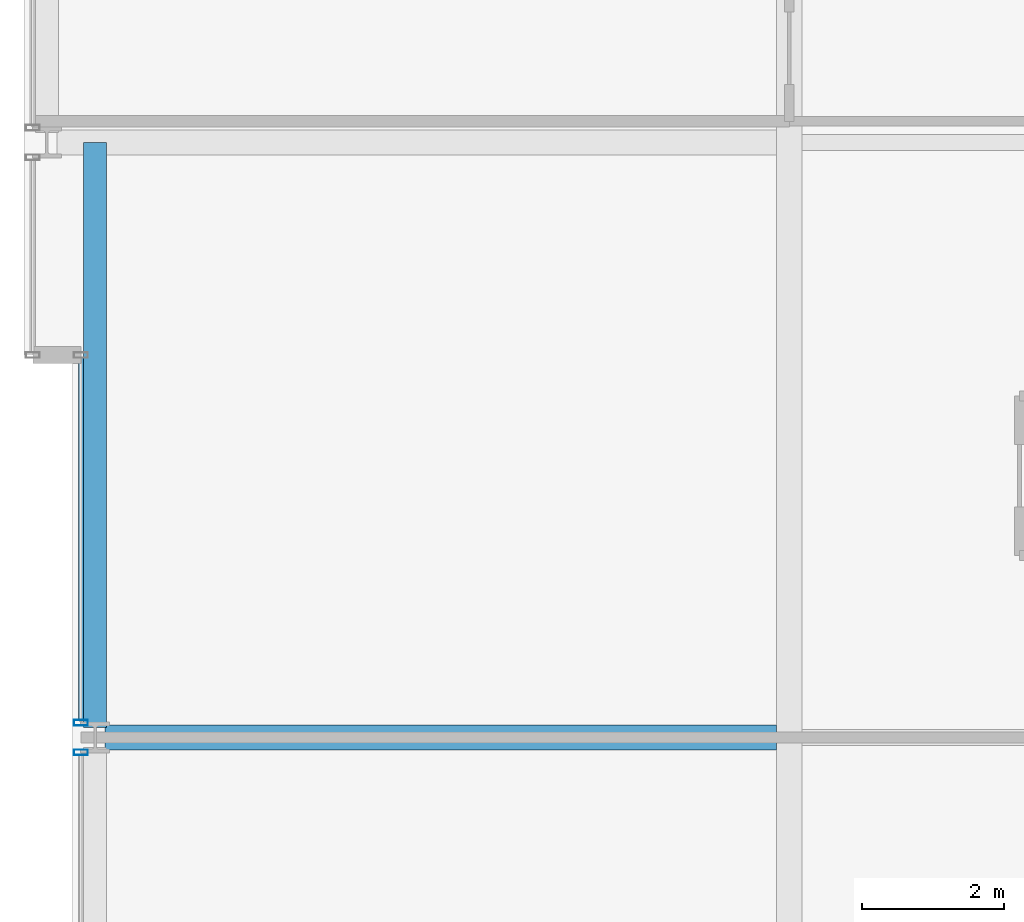
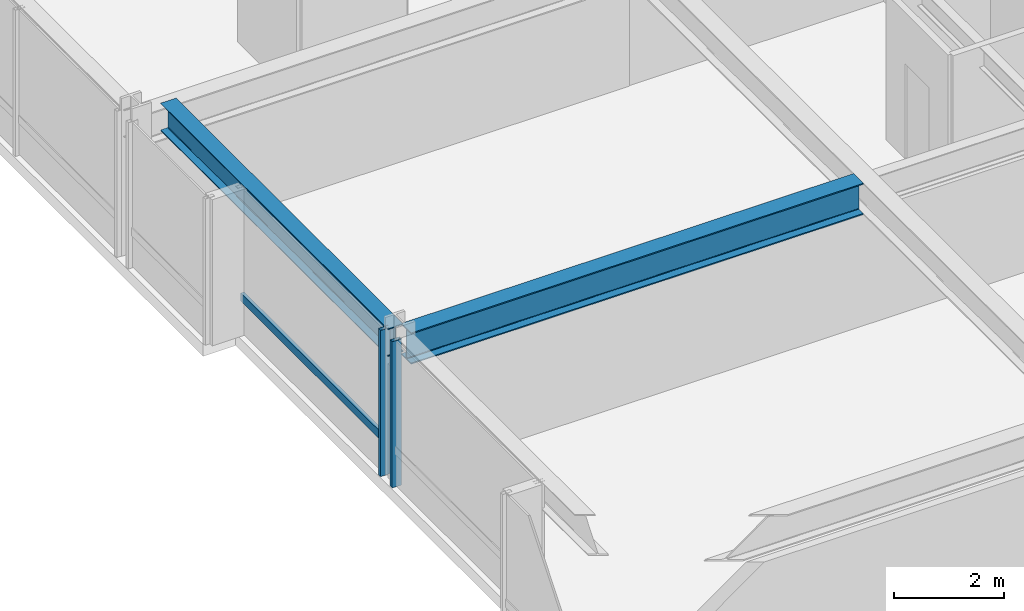
# One storey, part 9 of 33: 3 members, 2 beams, 2 elements without a shape of their own.
"""IFC4 building model written with IfcOpenShell, lengths in metres."""

from ifc_helpers import new_model, si_unit, direction, frame, origin, origin_2d, place, context, subcontext, project, spatial, hollow_rectangle, i_section, extrude, material, layer, layer_set, material_profile, profile_set, type_object, element, aggregate, save


model = new_model("IFC4")

# Units and contexts
model_context = context("Model", 3, precision=1e-05, world=origin(), true_north=direction((0.0, 1.0)))
body_context = subcontext(model_context, "Body", "Model", "MODEL_VIEW")
ifc_project = project(units=[si_unit("LENGTHUNIT", "METRE"), si_unit("AREAUNIT", "SQUARE_METRE"), si_unit("VOLUMEUNIT", "CUBIC_METRE"), si_unit("PLANEANGLEUNIT", "RADIAN"), si_unit("MASSUNIT", "GRAM", prefix="KILO")], contexts=[model_context])

# Site, building, storey
site_placement = place(None, origin())
site = spatial("IfcSite", under=ifc_project, at=site_placement, CompositionType="ELEMENT")
building_placement = place(site_placement, origin())
building = spatial("IfcBuilding", under=site, at=building_placement, Name="Drelvath Grand Hotel", CompositionType="ELEMENT")
storey_placement = place(building_placement, frame((0.0, 0.0, 119.800048828125)))
storey = spatial("IfcBuildingStorey", under=building, at=storey_placement, Name="L30", CompositionType="ELEMENT", Elevation=119.800048828125)

# Curtain wall, member
ifc_material_1 = material(Name="Champagne Bronze Anodised Aluminium Frame", Category="aluminium")
ifc_layer = layer(ifc_material_1, 0.199951171875)
ifc_layer_set = layer_set([ifc_layer], Name="Champagne Bronze Anodised Aluminium Frame")
curtain_wall_type = type_object("IfcCurtainWallType", Name="Stick Curtain Wall CW-03 Champagne Bronze Mid-Rise", PredefinedType="NOTDEFINED", material=ifc_layer_set)
curtain_wall_1_placement = place(storey_placement, origin())
curtain_wall_1 = element("IfcCurtainWall", 1, at=curtain_wall_1_placement, inside=storey, type_object=curtain_wall_type, Name="L30 CW-03 Curtain Wall CW03-L30-WM2", PredefinedType="NOTDEFINED")
ifc_material_profile_1 = material_profile(ifc_material_1, hollow_rectangle(XDim=0.074951171875, YDim=0.179931640625, WallThickness=0.0048828125, at=origin_2d()), Name="HSS180X75X5")
ifc_profile_set_1 = profile_set([ifc_material_profile_1], Name="Champagne Bronze Anodised Aluminium Frame")
member_type_1 = type_object("IfcMemberType", Name="Curtain Wall Horizontal Transom CW-03 HSS180X75X5", PredefinedType="USERDEFINED", material=ifc_profile_set_1)
member_1_placement = place(storey_placement, frame((-26.199951171875, 27.24951171875, 0.81005859375), z_axis=(0.0, 1.0, 0.0), x_axis=(-1.0, 0.0, 0.0)))
member_1 = element("IfcMember", 2, at=member_1_placement, type_object=member_type_1, Name="CW03-L30-WM2 Sill Transom", ObjectType="TRANSOM", PredefinedType="USERDEFINED", context=body_context, shape_type="SweptSolid", body=[
    extrude(hollow_rectangle(XDim=0.074951171875, YDim=0.179931640625, WallThickness=0.0048828125, at=origin_2d()), origin(), (0.0, 0.0, 1.0), 5.110595703125),
])

curtain_wall_2_placement = place(storey_placement, origin())
curtain_wall_2 = element("IfcCurtainWall", 3, at=curtain_wall_2_placement, inside=storey, type_object=curtain_wall_type, Name="L30 CW-03 Curtain Wall CW03-L30-WM1", PredefinedType="NOTDEFINED")
ifc_material_profile_2 = material_profile(ifc_material_1, hollow_rectangle(XDim=0.080078125, YDim=0.199951171875, WallThickness=0.0048828125, at=origin_2d()), Name="HSS200X80X5")
ifc_profile_set_2 = profile_set([ifc_material_profile_2], Name="Champagne Bronze Anodised Aluminium Frame")
member_type_2 = type_object("IfcMemberType", Name="Curtain Wall Vertical Mullion CW-03 HSS200X80X5", PredefinedType="MULLION", material=ifc_profile_set_2)
member_2_placement = place(storey_placement, frame((-26.199951171875, 26.79052734375, 0.0), z_axis=(0.0, 0.0, 1.0), x_axis=(0.0, 1.0, 0.0)))
member_2 = element("IfcMember", 4, at=member_2_placement, type_object=member_type_2, Name="CW03-L30-WM1 Mullion 2", PredefinedType="MULLION", context=body_context, shape_type="SweptSolid", body=[
    extrude(hollow_rectangle(XDim=0.080078125, YDim=0.199951171875, WallThickness=0.0048828125, at=origin_2d()), origin(), (0.0, 0.0, 1.0), 3.239990234375),
])
aggregate(curtain_wall_2, [member_2])

# Member
member_3_placement = place(storey_placement, frame((-26.199951171875, 27.20947265625, 0.0), z_axis=(0.0, 0.0, 1.0), x_axis=(0.0, 1.0, 0.0)))
member_3 = element("IfcMember", 5, at=member_3_placement, type_object=member_type_2, Name="CW03-L30-WM2 Mullion 1", PredefinedType="MULLION", context=body_context, shape_type="SweptSolid", body=[
    extrude(hollow_rectangle(XDim=0.080078125, YDim=0.199951171875, WallThickness=0.0048828125, at=origin_2d()), origin(), (0.0, 0.0, 1.0), 3.239990234375),
])

aggregate(curtain_wall_1, [member_3, member_1])

# Beams
ifc_material_2 = material(Name="Steel ASTM A992 Gr 50", Category="steel")
ifc_material_profile_3 = material_profile(ifc_material_2, i_section(OverallWidth=0.323974609375, OverallDepth=0.611083984375, WebThickness=0.0126953125, FlangeThickness=0.01904296875, FilletRadius=0.02197265625, at=origin_2d()), Name="W24X104")
ifc_profile_set_3 = profile_set([ifc_material_profile_3], Name="Steel ASTM A992 Gr 50")
beam_type_1 = type_object("IfcBeamType", Name="Perimeter Spandrel Beam W24X104", PredefinedType="SPANDREL", material=ifc_profile_set_3)
beam_1_placement = place(storey_placement, frame((-26.0, 27.139892578125, 2.9345703125), z_axis=(0.0, 1.0, 0.0), x_axis=(-1.0, 0.0, 0.0)))
element("IfcBeam", 6, at=beam_1_placement, inside=storey, type_object=beam_type_1, Name="L30 Spandrel West Mid N", PredefinedType="SPANDREL", context=body_context, shape_type="SweptSolid", body=[
    extrude(i_section(OverallWidth=0.323974609375, OverallDepth=0.611083984375, WebThickness=0.0126953125, FlangeThickness=0.01904296875, FilletRadius=0.02197265625, at=origin_2d()), origin(), (0.0, 0.0, 1.0), 8.260009765625),
])
ifc_material_profile_4 = material_profile(ifc_material_2, i_section(OverallWidth=0.354736328125, OverallDepth=0.695556640625, WebThickness=0.015380859375, FlangeThickness=0.025146484375, FilletRadius=0.02392578125, at=origin_2d()), Name="W27X146")
ifc_profile_set_4 = profile_set([ifc_material_profile_4], Name="Steel ASTM A992 Gr 50")
beam_type_2 = type_object("IfcBeamType", Name="Primary Floor Girder W27X146", PredefinedType="BEAM", material=ifc_profile_set_4)
beam_2_placement = place(storey_placement, frame((-25.860107421875, 27.0, 2.892333984375), z_axis=(1.0, 0.0, 0.0), x_axis=(0.0, 1.0, 0.0)))
element("IfcBeam", 7, at=beam_2_placement, inside=storey, type_object=beam_type_2, Name="L30 West Wing Girder E", PredefinedType="BEAM", context=body_context, shape_type="SweptSolid", body=[
    extrude(i_section(OverallWidth=0.354736328125, OverallDepth=0.695556640625, WebThickness=0.015380859375, FlangeThickness=0.025146484375, FilletRadius=0.02392578125, at=origin_2d()), origin(), (0.0, 0.0, 1.0), 9.482666015625),
])

save(model, "model.ifc")
